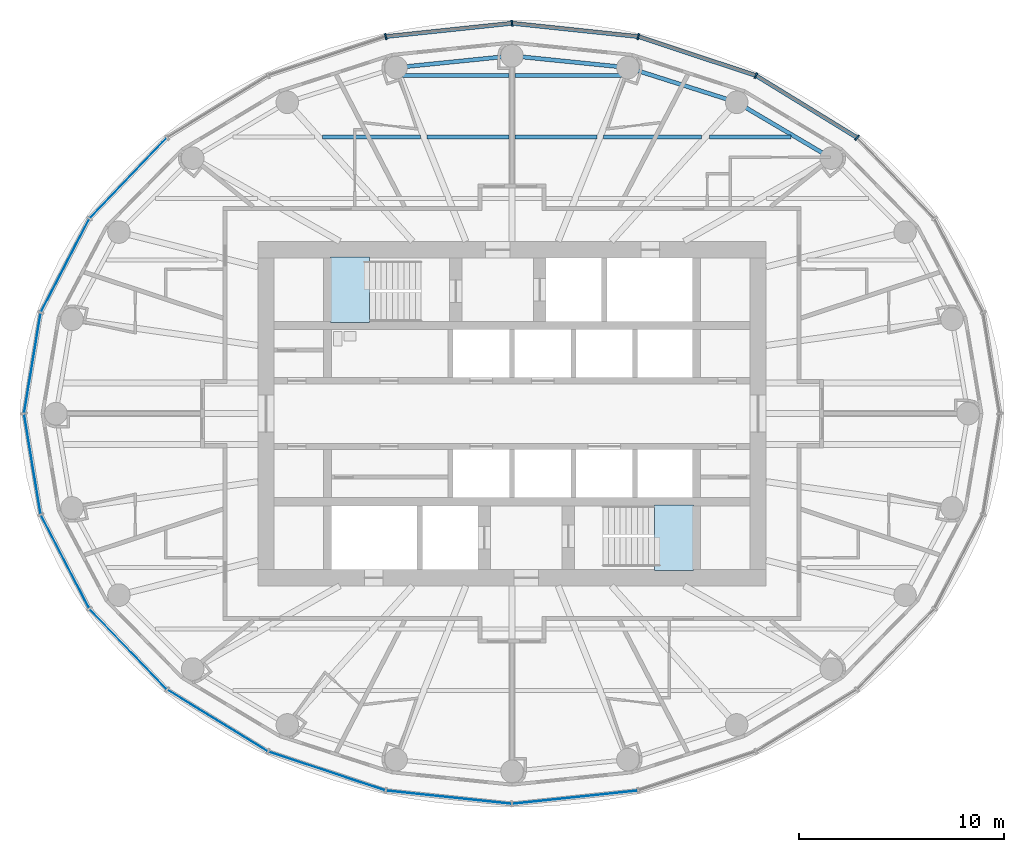
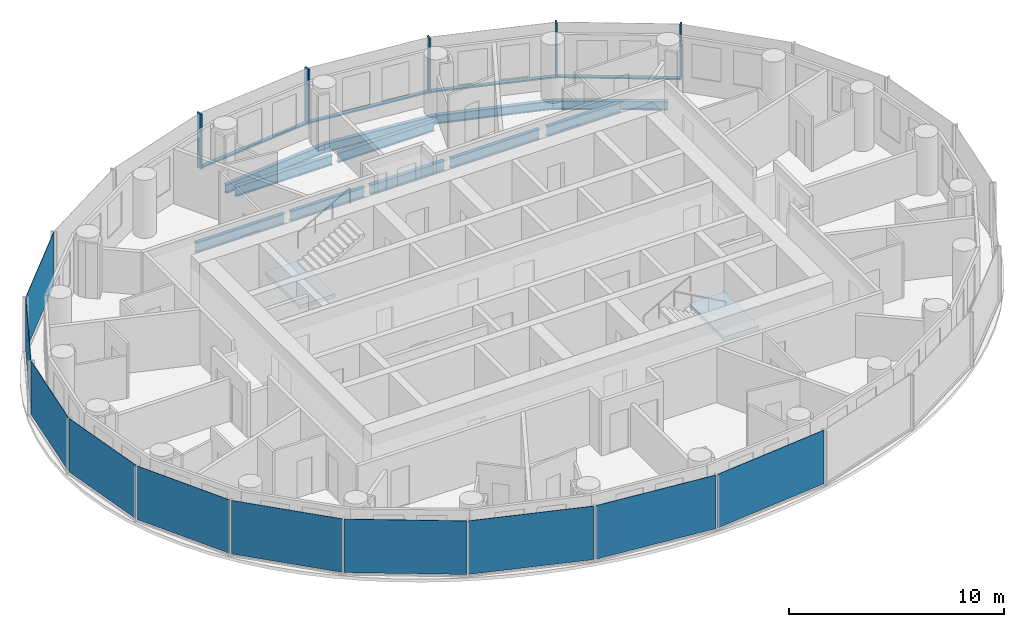
# One storey, part 4 of 16: 11 beams, 10 plates, 9 members, 2 slabs, 6 elements without a shape of their own.
"""IFC4 building model written with IfcOpenShell, lengths in metres."""

import ifcopenshell
import ifcopenshell.guid

model = None  # the IFC model being written
_history = None  # IfcOwnerHistory: only IFC2X3 demands one
_inside = {}  # id of a spatial element -> (the spatial element, [elements in it])
_under = {}  # id of a project, library or spatial element -> (it, [spatial elements below it])
_declared = {}  # id of a project -> (the project, [libraries it declares])
_typed = {}  # id of a type object -> (the type object, [elements of that type])
_made_of = {}  # id of a material, layer set ... -> (it, [elements and type objects made of it])


def new_model(schema):
    """Start an empty IFC model of exactly this schema.

    Asked for "IFC4X3", IfcOpenShell would pick the latest addendum, in which some entities
    have other attributes; the version numbers below select the first issue.
    IFC2X3 requires an IfcOwnerHistory on every rooted entity: one is made here for all.
    """
    global model, _history
    if schema == "IFC4X3":
        model = ifcopenshell.file(schema_version=(4, 3, 0, 0))
    else:
        model = ifcopenshell.file(schema=schema)
    _inside.clear()
    _under.clear()
    _declared.clear()
    _typed.clear()
    _made_of.clear()
    _history = None
    if model.schema == "IFC2X3":
        org = make("IfcOrganization", Name="unknown")
        user = make(
            "IfcPersonAndOrganization",
            ThePerson=make("IfcPerson", FamilyName="unknown"),
            TheOrganization=org,
        )
        app = make(
            "IfcApplication",
            ApplicationDeveloper=org,
            Version="unknown",
            ApplicationFullName="unknown",
            ApplicationIdentifier="unknown",
        )
        _history = make(
            "IfcOwnerHistory",
            OwningUser=user,
            OwningApplication=app,
            ChangeAction="ADDED",
            CreationDate=0,
        )
    return model


def make(cls, **values):
    """One entity of the class cls with the attributes given. An attribute that is None is left unset."""
    return model.create_entity(
        cls, **{name: value for name, value in values.items() if value is not None}
    )


def rooted(cls, **values):
    """An entity with a GlobalId (a new one), such as an element, a storey or a relation."""
    return make(cls, GlobalId=ifcopenshell.guid.new(), OwnerHistory=_history, **values)


def si_unit(unit_type, name, prefix=None):
    """IfcSIUnit, for example si_unit("LENGTHUNIT", "METRE", prefix="MILLI")."""
    return make("IfcSIUnit", UnitType=unit_type, Prefix=prefix, Name=name)


def assignment(units):
    """IfcUnitAssignment: the units of a project."""
    return None if units is None else make("IfcUnitAssignment", Units=units)


def point(xyz):
    """IfcCartesianPoint."""
    return None if xyz is None else make("IfcCartesianPoint", Coordinates=xyz)


def direction(xyz):
    """IfcDirection."""
    return None if xyz is None else make("IfcDirection", DirectionRatios=xyz)


def frame(location, z_axis=None, x_axis=None):
    """IfcAxis2Placement3D, a coordinate frame: its origin and axes. An axis left out is left unset."""
    return make(
        "IfcAxis2Placement3D",
        Location=point(location),
        Axis=direction(z_axis),
        RefDirection=direction(x_axis),
    )


def frame_2d(location, x_axis=None):
    """IfcAxis2Placement2D, a coordinate frame in the plane: its origin and x axis."""
    return make(
        "IfcAxis2Placement2D", Location=point(location), RefDirection=direction(x_axis)
    )


def origin():
    """The frame at (0, 0, 0) with its axes left unset."""
    return frame((0.0, 0.0, 0.0))


def origin_2d():
    """The frame at (0, 0) in the plane with its x axis left unset."""
    return frame_2d((0.0, 0.0))


def place(relative_to, where):
    """IfcLocalPlacement: puts the frame where relative to a parent placement (None: the world)."""
    return make(
        "IfcLocalPlacement", PlacementRelTo=relative_to, RelativePlacement=where
    )


def context(
    kind, dimensions, precision=None, world=None, true_north=None, identifier=None
):
    """IfcGeometricRepresentationContext, for example the 3D "Model" context."""
    return make(
        "IfcGeometricRepresentationContext",
        ContextIdentifier=identifier,
        ContextType=kind,
        CoordinateSpaceDimension=dimensions,
        Precision=precision,
        WorldCoordinateSystem=world,
        TrueNorth=true_north,
    )


def subcontext(parent, identifier, kind, view, scale=None):
    """IfcGeometricRepresentationSubContext, for example "Body" below "Model"."""
    return make(
        "IfcGeometricRepresentationSubContext",
        ContextIdentifier=identifier,
        ContextType=kind,
        ParentContext=parent,
        TargetScale=scale,
        TargetView=view,
    )


def project(units=None, contexts=None):
    """IfcProject with its units and contexts."""
    return rooted(
        "IfcProject",
        Name="project",
        RepresentationContexts=contexts,
        UnitsInContext=assignment(units),
    )


def spatial(cls, under=None, at=None, **own):
    """A site, building, storey or space (cls), placed at a placement, below another one or the project."""
    s = rooted(cls, ObjectPlacement=at, **own)
    if under is not None:
        _under.setdefault(under.id(), (under, []))[1].append(s)
    return s


def polyline(points):
    """IfcPolyline through the points."""
    return make("IfcPolyline", Points=[point(p) for p in points])


def profile(cls, at=None, kind="AREA", **sizes):
    """A parametric profile (cls). Its sizes go by their IFC names, for example OverallWidth=200.0."""
    return make(cls, ProfileType=kind, Position=at, **sizes)


def rectangle(**sizes):
    """IfcRectangleProfileDef."""
    return profile("IfcRectangleProfileDef", **sizes)


def i_section(**sizes):
    """IfcIShapeProfileDef."""
    return profile("IfcIShapeProfileDef", **sizes)


def outline(outer, holes=None, kind="AREA"):
    """IfcArbitraryClosedProfileDef: a profile drawn as a closed curve; with holes, ...WithVoids."""
    if holes is None:
        return make("IfcArbitraryClosedProfileDef", ProfileType=kind, OuterCurve=outer)
    return make(
        "IfcArbitraryProfileDefWithVoids",
        ProfileType=kind,
        OuterCurve=outer,
        InnerCurves=holes,
    )


def extrude(swept, where, along, depth):
    """IfcExtrudedAreaSolid: the profile swept, set in the frame where, extruded along a direction by depth."""
    return make(
        "IfcExtrudedAreaSolid",
        SweptArea=swept,
        Position=where,
        ExtrudedDirection=direction(along),
        Depth=depth,
    )


def shape(context_of_items, identifier, shape_type, items):
    """IfcShapeRepresentation: the items that make up one representation, for example the "Body"."""
    return make(
        "IfcShapeRepresentation",
        ContextOfItems=context_of_items,
        RepresentationIdentifier=identifier,
        RepresentationType=shape_type,
        Items=items,
    )


def material(Name=None, Category=None):
    """IfcMaterial."""
    return make("IfcMaterial", Name=Name, Category=Category)


def layer(
    of_material, thickness, ventilated=None, Name=None, Category=None, Priority=None
):
    """IfcMaterialLayer: one layer of a wall or slab, of a material (None: an air gap)."""
    return make(
        "IfcMaterialLayer",
        Material=of_material,
        LayerThickness=thickness,
        IsVentilated=ventilated,
        Name=Name,
        Category=Category,
        Priority=Priority,
    )


def layer_set(layers, Name=None):
    """IfcMaterialLayerSet."""
    return make("IfcMaterialLayerSet", MaterialLayers=layers, LayerSetName=Name)


def material_profile(
    of_material, cross_section, Name=None, Category=None, Priority=None
):
    """IfcMaterialProfile: a cross section and its material."""
    return make(
        "IfcMaterialProfile",
        Name=Name,
        Material=of_material,
        Profile=cross_section,
        Priority=Priority,
        Category=Category,
    )


def profile_set(profiles, Name=None, composite=None):
    """IfcMaterialProfileSet."""
    return make(
        "IfcMaterialProfileSet",
        Name=Name,
        MaterialProfiles=profiles,
        CompositeProfile=composite,
    )


def made_of(thing, what):
    """Note that an element or type object is made of a material, layer set ...; save() writes the relation."""
    if what is not None:
        _made_of.setdefault(what.id(), (what, []))[1].append(thing)
    return thing


def type_object(cls, material=None, **own):
    """A type object (cls), such as IfcWallType, which elements share."""
    return made_of(rooted(cls, **own), material)


def element(
    cls,
    number,
    at=None,
    inside=None,
    cuts=None,
    type_object=None,
    material=None,
    context=None,
    identifier="Body",
    shape_type=None,
    held_by="IfcProductDefinitionShape",
    body=None,
    shapes=None,
    **own,
):
    """One element of the class cls, such as IfcWall. Its Tag is "e" and its number.

    at: its placement. inside: the storey or other place that contains it. cuts: it is an
    opening in that element (IfcRelVoidsElement). A single representation is given by context,
    identifier, shape_type and body (its items); several are given by shapes. held_by: the class
    of the entity that holds the representations. save() writes the other relations.
    """
    e = rooted(cls, Tag="e%d" % number, ObjectPlacement=at, **own)
    if body is not None:
        shapes = [shape(context, identifier, shape_type, body)]
    if shapes is not None:
        e.Representation = make(held_by, Representations=shapes)
    if inside is not None:
        _inside.setdefault(inside.id(), (inside, []))[1].append(e)
    if cuts is not None:
        rooted(
            "IfcRelVoidsElement", RelatingBuildingElement=cuts, RelatedOpeningElement=e
        )
    if type_object is not None:
        _typed.setdefault(type_object.id(), (type_object, []))[1].append(e)
    return made_of(e, material)


def aggregate(whole, parts):
    """IfcRelAggregates: a whole, such as a stair, and the parts it consists of."""
    return rooted("IfcRelAggregates", RelatingObject=whole, RelatedObjects=parts)


def save(model, path):
    """Write the relations noted so far, then the file.

    IfcRelAggregates (storeys below a building ...), IfcRelContainedInSpatialStructure (elements
    in a storey), IfcRelDefinesByType, IfcRelAssociatesMaterial and IfcRelDeclares: one each for
    every whole, place, type object, material and project.
    """
    for whole, parts in _under.values():
        aggregate(whole, parts)
    for where, things in _inside.values():
        rooted(
            "IfcRelContainedInSpatialStructure",
            RelatedElements=things,
            RelatingStructure=where,
        )
    for kind, things in _typed.values():
        rooted("IfcRelDefinesByType", RelatedObjects=things, RelatingType=kind)
    for what, things in _made_of.values():
        rooted("IfcRelAssociatesMaterial", RelatedObjects=things, RelatingMaterial=what)
    for by, libraries in _declared.values():
        rooted("IfcRelDeclares", RelatingContext=by, RelatedDefinitions=libraries)
    model.write(path)


model = new_model("IFC4")

# Units and contexts
model_context = context("Model", 3, precision=1e-05, world=origin(), true_north=direction((0.0, 1.0)))
body_context = subcontext(model_context, "Body", "Model", "MODEL_VIEW")
ifc_project = project(units=[si_unit("LENGTHUNIT", "METRE"), si_unit("AREAUNIT", "SQUARE_METRE"), si_unit("VOLUMEUNIT", "CUBIC_METRE"), si_unit("PLANEANGLEUNIT", "RADIAN"), si_unit("MASSUNIT", "GRAM", prefix="KILO")], contexts=[model_context])

# Site, building, storey
site_placement = place(None, origin())
site = spatial("IfcSite", under=ifc_project, at=site_placement, CompositionType="ELEMENT")
building_placement = place(site_placement, origin())
building = spatial("IfcBuilding", under=site, at=building_placement, Name="Hankou Lantern Tower", CompositionType="ELEMENT")
storey_placement = place(building_placement, frame((0.0, 0.0, 153.300048828125)))
storey = spatial("IfcBuildingStorey", under=building, at=storey_placement, Name="L40", CompositionType="ELEMENT", Elevation=153.300048828125)

# Beams
ifc_material_1 = material(Name="Steel Q355B", Category="steel")
ifc_material_profile_1 = material_profile(ifc_material_1, i_section(OverallWidth=0.199951171875, OverallDepth=0.5, WebThickness=0.010009765625, FlangeThickness=0.01611328125, FilletRadius=0.012939453125, at=origin_2d()), Name="HN500x200x10x16")
ifc_profile_set_1 = profile_set([ifc_material_profile_1], Name="Steel Q355B")
beam_type_1 = type_object("IfcBeamType", Name="EB5 RING BEAM HN500x200x10x16", PredefinedType="SPANDREL", material=ifc_profile_set_1)
beam_1_placement = place(storey_placement, frame((15.576171875, 12.4609375, -0.429931640625), z_axis=(-0.861135888339, 0.508374843806, 0.0), x_axis=(-0.508374843806, -0.861135888339, 0.0)))
element("IfcBeam", 1, at=beam_1_placement, inside=storey, type_object=beam_type_1, Name="Ring beam R04-R05 L40", PredefinedType="SPANDREL", context=body_context, shape_type="SweptSolid", body=[
    extrude(i_section(OverallWidth=0.199951171875, OverallDepth=0.5, WebThickness=0.010009765625, FlangeThickness=0.01611328125, FilletRadius=0.012939453125, at=origin_2d()), origin(), (0.0, 0.0, 1.0), 5.36083984375),
])
beam_2_placement = place(storey_placement, frame((10.959716796875, 15.186279296875, -0.429931640625), z_axis=(-0.952790404271, 0.30362879562, 0.0), x_axis=(-0.30362879562, -0.952790404271, 0.0)))
element("IfcBeam", 2, at=beam_2_placement, inside=storey, type_object=beam_type_1, Name="Ring beam R05-R06 L40", PredefinedType="SPANDREL", context=body_context, shape_type="SweptSolid", body=[
    extrude(i_section(OverallWidth=0.199951171875, OverallDepth=0.5, WebThickness=0.010009765625, FlangeThickness=0.01611328125, FilletRadius=0.012939453125, at=origin_2d()), origin(), (0.0, 0.0, 1.0), 5.56982421875),
])
for number, where, z_axis, x_axis, name in (
    (3, (5.65283203125, 16.87744140625, -0.429931640625), (-0.9949104636, 0.100762936734, 0.0), (-0.100762936734, -0.9949104636, 0.0), "Ring beam R06-R07 L40"),
    (4, (0.0, 17.449951171875, -0.429931640625), (-0.9949104636, -0.100762936734, 0.0), (0.100762936734, -0.9949104636, 0.0), "Ring beam R07-R08 L40"),
):
    element("IfcBeam", number, at=place(storey_placement, frame(where, z_axis=z_axis, x_axis=x_axis)), inside=storey, type_object=beam_type_1, Name=name, PredefinedType="SPANDREL", context=body_context, shape_type="SweptSolid", body=[
        extrude(i_section(OverallWidth=0.199951171875, OverallDepth=0.5, WebThickness=0.010009765625, FlangeThickness=0.01611328125, FilletRadius=0.012939453125, at=origin_2d()), origin(), (0.0, 0.0, 1.0), 5.681640625),
    ])

# Curtain wall, members
ifc_material_2 = material(Name="Glass, dark grey tinted laminated", Category="glass")
curtain_wall_type = type_object("IfcCurtainWallType", Name="CWC OUTER SKIN HIGH-RISE", PredefinedType="USERDEFINED", material=ifc_material_2)
curtain_wall_1_placement = place(storey_placement, origin())
curtain_wall_1 = element("IfcCurtainWall", 5, at=curtain_wall_1_placement, inside=storey, type_object=curtain_wall_type, Name="CWC L40 OS1", ObjectType="OUTER SKIN HIGH-RISE", PredefinedType="USERDEFINED")
ifc_material_3 = material(Name="Aluminium, black anodised", Category="aluminium")
ifc_material_profile_2 = material_profile(ifc_material_3, rectangle(XDim=0.080078125, YDim=0.300048828125, at=origin_2d()), Name="MU1 80X300")
ifc_profile_set_2 = profile_set([ifc_material_profile_2], Name="Aluminium, black anodised")
member_type_1 = type_object("IfcMemberType", Name="MU1 OUTER SKIN MULLION 80X300", PredefinedType="MULLION", material=ifc_profile_set_2)
member_1_placement = place(storey_placement, frame((16.8291015625, 13.46337890625, 0.0), z_axis=(0.0, 0.0, 1.0), x_axis=(-0.780868809444, 0.624695047553, 0.0)))
member_1 = element("IfcMember", 6, at=member_1_placement, type_object=member_type_1, Name="CWC mullion 4", PredefinedType="MULLION", context=body_context, shape_type="SweptSolid", body=[
    extrude(rectangle(XDim=0.080078125, YDim=0.300048828125, at=origin_2d()), origin(), (0.0, 0.0, 1.0), 3.119873046875),
])
member_2_placement = place(storey_placement, frame((11.89990234375, 16.489013671875, 0.0), z_axis=(0.0, 0.0, 1.0), x_axis=(-0.907841299004, 0.419313934686, 0.0)))
member_2 = element("IfcMember", 7, at=member_2_placement, type_object=member_type_1, Name="CWC mullion 5", PredefinedType="MULLION", context=body_context, shape_type="SweptSolid", body=[
    extrude(rectangle(XDim=0.080078125, YDim=0.300048828125, at=origin_2d()), origin(), (0.0, 0.0, 1.0), 3.119873046875),
])
member_3_placement = place(storey_placement, frame((6.159912109375, 18.39111328125, 0.0), z_axis=(0.0, 0.0, 1.0), x_axis=(-0.977787659625, 0.209597931016, 0.0)))
member_3 = element("IfcMember", 8, at=member_3_placement, type_object=member_type_1, Name="CWC mullion 6", PredefinedType="MULLION", context=body_context, shape_type="SweptSolid", body=[
    extrude(rectangle(XDim=0.080078125, YDim=0.300048828125, at=origin_2d()), origin(), (0.0, 0.0, 1.0), 3.119873046875),
])

curtain_wall_2_placement = place(storey_placement, origin())
curtain_wall_2 = element("IfcCurtainWall", 9, at=curtain_wall_2_placement, inside=storey, type_object=curtain_wall_type, Name="CWC L40 OS2", ObjectType="OUTER SKIN HIGH-RISE", PredefinedType="USERDEFINED")
member_4_placement = place(storey_placement, frame((0.0, 19.0400390625, 0.0), z_axis=(0.0, 0.0, 1.0), x_axis=(-0.994499359107, -0.104742659579, 0.0)))
member_4 = element("IfcMember", 10, at=member_4_placement, type_object=member_type_1, Name="CWC mullion 1", PredefinedType="MULLION", context=body_context, shape_type="SweptSolid", body=[
    extrude(rectangle(XDim=0.080078125, YDim=0.300048828125, at=origin_2d()), origin(), (0.0, 0.0, 1.0), 3.119873046875),
])
member_5_placement = place(storey_placement, frame((-6.159912109375, 18.39111328125, 0.0), z_axis=(0.0, 0.0, 1.0), x_axis=(-0.977787659625, -0.209597931016, 0.0)))
member_5 = element("IfcMember", 11, at=member_5_placement, type_object=member_type_1, Name="CWC mullion 2", PredefinedType="MULLION", context=body_context, shape_type="SweptSolid", body=[
    extrude(rectangle(XDim=0.080078125, YDim=0.300048828125, at=origin_2d()), origin(), (0.0, 0.0, 1.0), 3.119873046875),
])

# Beams
ifc_material_4 = material(Name="Steel Q355B", Category="steel")
ifc_material_profile_3 = material_profile(ifc_material_4, i_section(OverallWidth=0.199951171875, OverallDepth=0.550048828125, WebThickness=0.010009765625, FlangeThickness=0.01611328125, FilletRadius=0.012939453125, at=origin_2d()), Name="HN550x200x10x16")
ifc_profile_set_3 = profile_set([ifc_material_profile_3], Name="Steel Q355B")
beam_type_2 = type_object("IfcBeamType", Name="SB6 SECONDARY BEAM HN550x200x10x16", PredefinedType="JOIST", material=ifc_profile_set_3)
beam_3_placement = place(storey_placement, frame((-9.23974609375, 13.5, -0.455078125), z_axis=(1.0, 0.0, 0.0), x_axis=(0.0, 1.0, 0.0)))
element("IfcBeam", 12, at=beam_3_placement, inside=storey, type_object=beam_type_2, Name="Floor joist J036 L40", PredefinedType="JOIST", context=body_context, shape_type="SweptSolid", body=[
    extrude(i_section(OverallWidth=0.199951171875, OverallDepth=0.550048828125, WebThickness=0.010009765625, FlangeThickness=0.01611328125, FilletRadius=0.012939453125, at=origin_2d()), origin(), (0.0, 0.0, 1.0), 4.780517578125),
])
for number, where, z_axis, x_axis, name in (
    (13, (-4.135986328125, 13.5, -0.455078125), (1.0, 0.0, 0.0), (0.0, 1.0, 0.0), "Floor joist J037 L40"),
    (14, (0.14990234375, 13.5, -0.455078125), (1.0, 0.0, 0.0), (0.0, 1.0, 0.0), "Floor joist J038 L40"),
):
    element("IfcBeam", number, at=place(storey_placement, frame(where, z_axis=z_axis, x_axis=x_axis)), inside=storey, type_object=beam_type_2, Name=name, PredefinedType="JOIST", context=body_context, shape_type="SweptSolid", body=[
        extrude(i_section(OverallWidth=0.199951171875, OverallDepth=0.550048828125, WebThickness=0.010009765625, FlangeThickness=0.01611328125, FilletRadius=0.012939453125, at=origin_2d()), origin(), (0.0, 0.0, 1.0), 3.986083984375),
    ])
beam_4_placement = place(storey_placement, frame((4.459228515625, 13.5, -0.455078125), z_axis=(1.0, 0.0, 0.0), x_axis=(0.0, 1.0, 0.0)))
element("IfcBeam", 15, at=beam_4_placement, inside=storey, type_object=beam_type_2, Name="Floor joist J039 L40", PredefinedType="JOIST", context=body_context, shape_type="SweptSolid", body=[
    extrude(i_section(OverallWidth=0.199951171875, OverallDepth=0.550048828125, WebThickness=0.010009765625, FlangeThickness=0.01611328125, FilletRadius=0.012939453125, at=origin_2d()), origin(), (0.0, 0.0, 1.0), 4.780517578125),
])
beam_5_placement = place(storey_placement, frame((9.643310546875, 13.5, -0.455078125), z_axis=(1.0, 0.0, 0.0), x_axis=(0.0, 1.0, 0.0)))
element("IfcBeam", 16, at=beam_5_placement, inside=storey, type_object=beam_type_2, Name="Floor joist J040 L40", PredefinedType="JOIST", context=body_context, shape_type="SweptSolid", body=[
    extrude(i_section(OverallWidth=0.199951171875, OverallDepth=0.550048828125, WebThickness=0.010009765625, FlangeThickness=0.01611328125, FilletRadius=0.012939453125, at=origin_2d()), origin(), (0.0, 0.0, 1.0), 3.97607421875),
])
for number, where, z_axis, x_axis, name in (
    (17, (-5.33984375, 16.5, -0.455078125), (1.0, 0.0, 0.0), (0.0, 1.0, 0.0), "Floor joist J041 L40"),
    (18, (0.14990234375, 16.5, -0.455078125), (1.0, 0.0, 0.0), (0.0, 1.0, 0.0), "Floor joist J042 L40"),
):
    element("IfcBeam", number, at=place(storey_placement, frame(where, z_axis=z_axis, x_axis=x_axis)), inside=storey, type_object=beam_type_2, Name=name, PredefinedType="JOIST", context=body_context, shape_type="SweptSolid", body=[
        extrude(i_section(OverallWidth=0.199951171875, OverallDepth=0.550048828125, WebThickness=0.010009765625, FlangeThickness=0.01611328125, FilletRadius=0.012939453125, at=origin_2d()), origin(), (0.0, 0.0, 1.0), 5.18994140625),
    ])

# Member
ifc_material_5 = material(Name="Aluminium, black anodised", Category="aluminium")
ifc_material_profile_4 = material_profile(ifc_material_5, rectangle(XDim=0.199951171875, YDim=0.080078125, at=origin_2d()), Name="TR1 200X80")
ifc_profile_set_4 = profile_set([ifc_material_profile_4], Name="Aluminium, black anodised")
member_type_2 = type_object("IfcMemberType", Name="TR1 OUTER SKIN TRANSOM 200X80", PredefinedType="USERDEFINED", material=ifc_profile_set_4)
member_6_placement = place(storey_placement, frame((16.795166015625, 13.484130859375, 0.0400390625), z_axis=(-0.852229482357, 0.523168146394, 0.0), x_axis=(-0.523168146394, -0.852229482357, 0.0)))
member_6 = element("IfcMember", 19, at=member_6_placement, type_object=member_type_2, Name="CWC transom 4", ObjectType="TRANSOM", PredefinedType="USERDEFINED", context=body_context, shape_type="SweptSolid", body=[
    extrude(rectangle(XDim=0.199951171875, YDim=0.080078125, at=origin_2d()), origin(), (0.0, 0.0, 1.0), 5.703857421875),
])

member_7_placement = place(storey_placement, frame((11.862060546875, 16.501708984375, 0.0400390625), z_axis=(-0.949242327551, 0.314545709849, 0.0), x_axis=(-0.314545709849, -0.949242327551, 0.0)))
member_7 = element("IfcMember", 20, at=member_7_placement, type_object=member_type_2, Name="CWC transom 5", ObjectType="TRANSOM", PredefinedType="USERDEFINED", context=body_context, shape_type="SweptSolid", body=[
    extrude(rectangle(XDim=0.199951171875, YDim=0.080078125, at=origin_2d()), origin(), (0.0, 0.0, 1.0), 5.96728515625),
])

member_8_placement = place(storey_placement, frame((6.1201171875, 18.3955078125, 0.0400390625), z_axis=(-0.994499543631, 0.104740907567, 0.0), x_axis=(-0.104740907567, -0.994499543631, 0.0)))
member_8 = element("IfcMember", 21, at=member_8_placement, type_object=member_type_2, Name="CWC transom 6", ObjectType="TRANSOM", PredefinedType="USERDEFINED", context=body_context, shape_type="SweptSolid", body=[
    extrude(rectangle(XDim=0.199951171875, YDim=0.080078125, at=origin_2d()), origin(), (0.0, 0.0, 1.0), 6.114013671875),
])

aggregate(curtain_wall_1, [member_1, member_2, member_3, member_6, member_7, member_8])

member_9_placement = place(storey_placement, frame((-0.039794921875, 19.035888671875, 0.0400390625), z_axis=(-0.994499543631, -0.104740907567, 0.0), x_axis=(0.104740907567, -0.994499543631, 0.0)))
member_9 = element("IfcMember", 22, at=member_9_placement, type_object=member_type_2, Name="CWC transom 1", ObjectType="TRANSOM", PredefinedType="USERDEFINED", context=body_context, shape_type="SweptSolid", body=[
    extrude(rectangle(XDim=0.199951171875, YDim=0.080078125, at=origin_2d()), origin(), (0.0, 0.0, 1.0), 6.114013671875),
])

# Plate
ifc_material_6 = material(Name="Glass, dark grey tinted laminated", Category="glass")
ifc_layer_1 = layer(ifc_material_6, 0.02392578125)
ifc_layer_set_1 = layer_set([ifc_layer_1], Name="Glass, dark grey tinted laminated")
plate_type = type_object("IfcPlateType", Name="PN1 OUTER SKIN GLASS PANEL", PredefinedType="CURTAIN_PANEL", material=ifc_layer_set_1)
plate_1_placement = place(storey_placement, frame((-18.72021484375, 11.49169921875, 0.079833984375), z_axis=(0.0, 0.0, 1.0), x_axis=(-0.692215809936, -0.721690565599, 0.0)))
plate_1 = element("IfcPlate", 23, at=plate_1_placement, type_object=plate_type, Name="CWC glass panel 4", PredefinedType="CURTAIN_PANEL", context=body_context, shape_type="SweptSolid", body=[
    extrude(rectangle(XDim=5.384033203125, YDim=0.02392578125, at=origin_2d()), origin(), (0.0, 0.0, 1.0), 3.0400390625),
])

plate_2_placement = place(storey_placement, frame((-21.80029296875, 7.223876953125, 0.079833984375), z_axis=(0.0, 0.0, 1.0), x_axis=(-0.459791091957, -0.888027112062, 0.0)))
plate_2 = element("IfcPlate", 24, at=plate_2_placement, type_object=plate_type, Name="CWC glass panel 5", PredefinedType="CURTAIN_PANEL", context=body_context, shape_type="SweptSolid", body=[
    extrude(rectangle(XDim=5.091064453125, YDim=0.02392578125, at=origin_2d()), origin(), (0.0, 0.0, 1.0), 3.0400390625),
])

plate_3_placement = place(storey_placement, frame((-23.39453125, 2.4638671875, 0.079833984375), z_axis=(0.0, 0.0, 1.0), x_axis=(-0.162381515188, -0.986728049427, 0.0)))
plate_3 = element("IfcPlate", 25, at=plate_3_placement, type_object=plate_type, Name="CWC glass panel 6", PredefinedType="CURTAIN_PANEL", context=body_context, shape_type="SweptSolid", body=[
    extrude(rectangle(XDim=4.914306640625, YDim=0.02392578125, at=origin_2d()), origin(), (0.0, 0.0, 1.0), 3.0400390625),
])

aggregate(curtain_wall_2, [member_4, member_5, member_9, plate_1, plate_2, plate_3])

# Curtain wall, plates
curtain_wall_3_placement = place(storey_placement, origin())
curtain_wall_3 = element("IfcCurtainWall", 26, at=curtain_wall_3_placement, inside=storey, type_object=curtain_wall_type, Name="CWC L40 OS3", ObjectType="OUTER SKIN HIGH-RISE", PredefinedType="USERDEFINED")
plate_4_placement = place(storey_placement, frame((-23.39453125, -2.4638671875, 0.079833984375), z_axis=(0.0, 0.0, 1.0), x_axis=(0.162381515188, -0.986728049427, 0.0)))
plate_4 = element("IfcPlate", 27, at=plate_4_placement, type_object=plate_type, Name="CWC glass panel 1", PredefinedType="CURTAIN_PANEL", context=body_context, shape_type="SweptSolid", body=[
    extrude(rectangle(XDim=4.914306640625, YDim=0.02392578125, at=origin_2d()), origin(), (0.0, 0.0, 1.0), 3.0400390625),
])
plate_5_placement = place(storey_placement, frame((-21.80029296875, -7.223876953125, 0.079833984375), z_axis=(0.0, 0.0, 1.0), x_axis=(0.459791091957, -0.888027112062, 0.0)))
plate_5 = element("IfcPlate", 28, at=plate_5_placement, type_object=plate_type, Name="CWC glass panel 2", PredefinedType="CURTAIN_PANEL", context=body_context, shape_type="SweptSolid", body=[
    extrude(rectangle(XDim=5.091064453125, YDim=0.02392578125, at=origin_2d()), origin(), (0.0, 0.0, 1.0), 3.0400390625),
])
plate_6_placement = place(storey_placement, frame((-18.72021484375, -11.49169921875, 0.079833984375), z_axis=(0.0, 0.0, 1.0), x_axis=(0.692215809936, -0.721690565599, 0.0)))
plate_6 = element("IfcPlate", 29, at=plate_6_placement, type_object=plate_type, Name="CWC glass panel 3", PredefinedType="CURTAIN_PANEL", context=body_context, shape_type="SweptSolid", body=[
    extrude(rectangle(XDim=5.384033203125, YDim=0.02392578125, at=origin_2d()), origin(), (0.0, 0.0, 1.0), 3.0400390625),
])
plate_7_placement = place(storey_placement, frame((-14.364501953125, -14.976318359375, 0.079833984375), z_axis=(0.0, 0.0, 1.0), x_axis=(0.852237151549, -0.523155653242, 0.0)))
plate_7 = element("IfcPlate", 30, at=plate_7_placement, type_object=plate_type, Name="CWC glass panel 4", PredefinedType="CURTAIN_PANEL", context=body_context, shape_type="SweptSolid", body=[
    extrude(rectangle(XDim=5.703857421875, YDim=0.02392578125, at=origin_2d()), origin(), (0.0, 0.0, 1.0), 3.0400390625),
])
plate_8_placement = place(storey_placement, frame((-9.030029296875, -17.440185546875, 0.079833984375), z_axis=(0.0, 0.0, 1.0), x_axis=(0.949240677293, -0.31455068999, 0.0)))
plate_8 = element("IfcPlate", 31, at=plate_8_placement, type_object=plate_type, Name="CWC glass panel 5", PredefinedType="CURTAIN_PANEL", context=body_context, shape_type="SweptSolid", body=[
    extrude(rectangle(XDim=5.967041015625, YDim=0.02392578125, at=origin_2d()), origin(), (0.0, 0.0, 1.0), 3.0400390625),
])
plate_9_placement = place(storey_placement, frame((-3.079833984375, -18.715576171875, 0.079833984375), z_axis=(0.0, 0.0, 1.0), x_axis=(0.994499359107, -0.104742659579, 0.0)))
plate_9 = element("IfcPlate", 32, at=plate_9_placement, type_object=plate_type, Name="CWC glass panel 6", PredefinedType="CURTAIN_PANEL", context=body_context, shape_type="SweptSolid", body=[
    extrude(rectangle(XDim=6.114013671875, YDim=0.02392578125, at=origin_2d()), origin(), (0.0, 0.0, 1.0), 3.0400390625),
])
aggregate(curtain_wall_3, [plate_4, plate_5, plate_6, plate_7, plate_8, plate_9])

# Curtain wall, plate
curtain_wall_4_placement = place(storey_placement, origin())
curtain_wall_4 = element("IfcCurtainWall", 33, at=curtain_wall_4_placement, inside=storey, type_object=curtain_wall_type, Name="CWC L40 OS4", ObjectType="OUTER SKIN HIGH-RISE", PredefinedType="USERDEFINED")
plate_10_placement = place(storey_placement, frame((3.079833984375, -18.715576171875, 0.079833984375), z_axis=(0.0, 0.0, 1.0), x_axis=(0.994499359107, 0.104742659579, 0.0)))
plate_10 = element("IfcPlate", 34, at=plate_10_placement, type_object=plate_type, Name="CWC glass panel 1", PredefinedType="CURTAIN_PANEL", context=body_context, shape_type="SweptSolid", body=[
    extrude(rectangle(XDim=6.114013671875, YDim=0.02392578125, at=origin_2d()), origin(), (0.0, 0.0, 1.0), 3.0400390625),
])
aggregate(curtain_wall_4, [plate_10])

# Stair, slab
ifc_material_7 = material(Name="Concrete C40", Category="concrete")
stair_type = type_object("IfcStairType", Name="ST33 CORE STAIR 3300 RISE", PredefinedType="HALF_TURN_STAIR", material=ifc_material_7)
stair_1_placement = place(storey_placement, origin())
stair_1 = element("IfcStair", 35, at=stair_1_placement, inside=storey, type_object=stair_type, Name="Stair STA L40", PredefinedType="HALF_TURN_STAIR")
ifc_material_8 = material(Name="Concrete C40", Category="concrete")
ifc_layer_2 = layer(ifc_material_8, 0.199951171875)
ifc_layer_set_2 = layer_set([ifc_layer_2], Name="Concrete C40")
slab_type = type_object("IfcSlabType", Name="SL1 STAIR LANDING 200", PredefinedType="LANDING", material=ifc_layer_set_2)
slab_1_placement = place(storey_placement, frame((0.0, 0.0, 1.371337890625)))
slab_1 = element("IfcSlab", 36, at=slab_1_placement, type_object=slab_type, Name="STA landing 1", PredefinedType="LANDING", context=body_context, shape_type="SweptSolid", body=[
    extrude(outline(polyline([(-8.85009765625, 4.449951171875), (-6.949951171875, 4.449951171875), (-6.949951171875, 7.64990234375), (-8.85009765625, 7.64990234375), (-8.85009765625, 4.449951171875)])), origin(), (0.0, 0.0, 1.0), 0.199951171875),
])
aggregate(stair_1, [slab_1])

stair_2_placement = place(storey_placement, origin())
stair_2 = element("IfcStair", 37, at=stair_2_placement, inside=storey, type_object=stair_type, Name="Stair STB L40", PredefinedType="HALF_TURN_STAIR")
slab_2_placement = place(storey_placement, frame((0.0, 0.0, 1.371337890625)))
slab_2 = element("IfcSlab", 38, at=slab_2_placement, type_object=slab_type, Name="STB landing 1", PredefinedType="LANDING", context=body_context, shape_type="SweptSolid", body=[
    extrude(outline(polyline([(8.85009765625, -4.449951171875), (6.949951171875, -4.449951171875), (6.949951171875, -7.64990234375), (8.85009765625, -7.64990234375), (8.85009765625, -4.449951171875)])), origin(), (0.0, 0.0, 1.0), 0.199951171875),
])
aggregate(stair_2, [slab_2])

save(model, "model.ifc")
